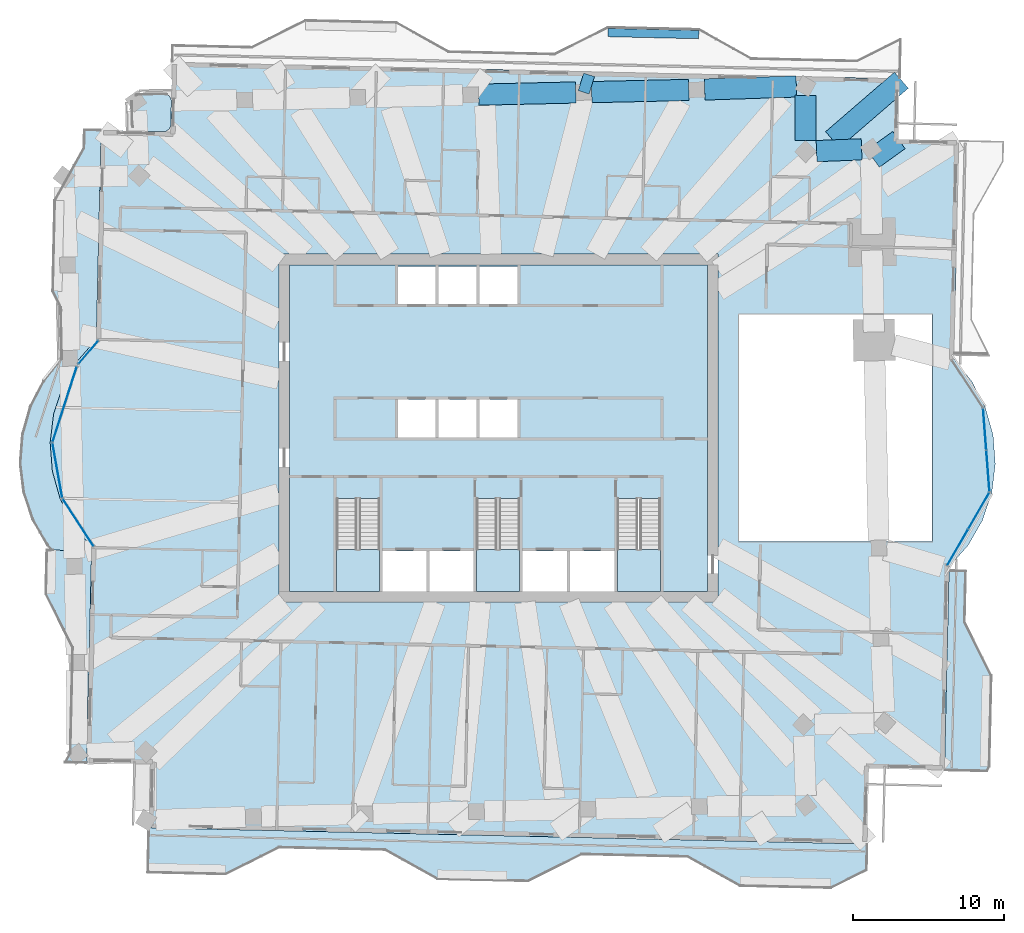
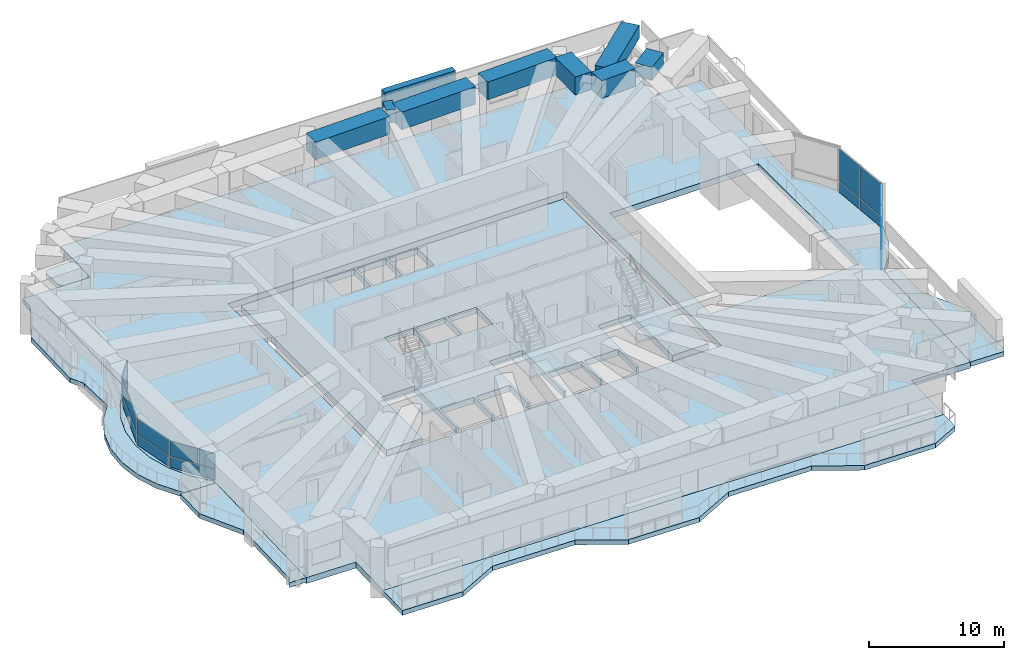
# One storey, part 8 of 20: 16 plates, 10 slabs, 8 beams, 1 member, 9 elements without a shape of their own.
"""IFC4 building model written with IfcOpenShell, lengths in metres."""

from ifc_helpers import new_model, si_unit, direction, frame, origin, origin_2d, place, context, subcontext, project, spatial, polyline, rectangle, outline, extrude, material, layer, layer_set, material_profile, profile_set, type_object, element, aggregate, save


model = new_model("IFC4")

# Units and contexts
model_context = context("Model", 3, precision=1e-05, world=origin(), true_north=direction((0.0, 1.0)))
body_context = subcontext(model_context, "Body", "Model", "MODEL_VIEW")
ifc_project = project(units=[si_unit("LENGTHUNIT", "METRE"), si_unit("AREAUNIT", "SQUARE_METRE"), si_unit("VOLUMEUNIT", "CUBIC_METRE"), si_unit("PLANEANGLEUNIT", "RADIAN"), si_unit("MASSUNIT", "GRAM", prefix="KILO")], contexts=[model_context])

# Site, building, storey
site_placement = place(None, origin())
site = spatial("IfcSite", under=ifc_project, at=site_placement, CompositionType="ELEMENT")
building_placement = place(site_placement, origin())
building = spatial("IfcBuilding", under=site, at=building_placement, Name="Mangrove Gate Tower", CompositionType="ELEMENT")
storey_placement = place(building_placement, frame((0.0, 0.0, 252.699951171875)))
storey = spatial("IfcBuildingStorey", under=building, at=storey_placement, Name="L64", CompositionType="ELEMENT", Elevation=252.699951171875)

# Member
ifc_material_1 = material(Name="Planting on aluminium trellis", Category="aluminium")
ifc_material_profile_1 = material_profile(ifc_material_1, rectangle(XDim=0.550048828125, YDim=2.0, at=origin_2d()))
ifc_profile_set_1 = profile_set([ifc_material_profile_1], Name="Planting on aluminium trellis")
member_type = type_object("IfcMemberType", Name="Balcony greenery screen 550x2000", PredefinedType="USERDEFINED", material=ifc_profile_set_1)
member_placement = place(storey_placement, frame((7.23193359375, 26.14404296875, 1.800048828125), z_axis=(0.999743178102, -0.022662255828, 0.0), x_axis=(0.022662255828, 0.999743178102, 0.0)))
element("IfcMember", 1, at=member_placement, inside=storey, type_object=member_type, Name="GREEN SCREEN L64 N0.1", ObjectType="PLANTING", PredefinedType="USERDEFINED", context=body_context, shape_type="SweptSolid", body=[
    extrude(rectangle(XDim=0.550048828125, YDim=2.0, at=origin_2d()), origin(), (0.0, 0.0, 1.0), 6.00048828125),
])

# Beams
ifc_material_2 = material(Name="Concrete C60/75", Category="concrete")
ifc_material_profile_2 = material_profile(ifc_material_2, rectangle(XDim=1.39990234375, YDim=1.199951171875, at=origin_2d()))
ifc_profile_set_2 = profile_set([ifc_material_profile_2], Name="Concrete C60/75")
beam_type_1 = type_object("IfcBeamType", Name="Transfer girder RC 1400x1200 C60/75", PredefinedType="BEAM", material=ifc_profile_set_2)
beam_1_placement = place(storey_placement, frame((24.75634765625, 17.814697265625, 3.449951171875), z_axis=(0.811713301366, 0.584056090103, 0.0), x_axis=(-0.584056090103, 0.811713301366, 0.0)))
element("IfcBeam", 2, at=beam_1_placement, inside=storey, type_object=beam_type_1, Name="Transfer cantilever girder L64 19", PredefinedType="BEAM", context=body_context, shape_type="SweptSolid", body=[
    extrude(rectangle(XDim=1.39990234375, YDim=1.199951171875, at=origin_2d()), origin(), (0.0, 0.0, 1.0), 2.095458984375),
])
beam_2_placement = place(storey_placement, frame((22.07177734375, 19.062744140625, 3.449951171875), z_axis=(0.756823007769, 0.653619870346, 0.0), x_axis=(-0.653619870346, 0.756823007769, 0.0)))
element("IfcBeam", 3, at=beam_2_placement, inside=storey, type_object=beam_type_1, Name="Transfer cantilever girder L64 20", PredefinedType="BEAM", context=body_context, shape_type="SweptSolid", body=[
    extrude(rectangle(XDim=1.39990234375, YDim=1.199951171875, at=origin_2d()), origin(), (0.0, 0.0, 1.0), 6.010986328125),
])
ifc_material_3 = material(Name="Concrete C60/75", Category="concrete")
ifc_material_profile_3 = material_profile(ifc_material_3, rectangle(XDim=1.39990234375, YDim=1.60009765625, at=origin_2d()))
ifc_profile_set_3 = profile_set([ifc_material_profile_3], Name="Concrete C60/75")
beam_type_2 = type_object("IfcBeamType", Name="Transfer girder RC 1400x1600 C60/75", PredefinedType="BEAM", material=ifc_profile_set_3)
beam_3_placement = place(storey_placement, frame((23.99365234375, 18.429443359375, 3.25), z_axis=(-0.999194139835, -0.040138147936, 0.0), x_axis=(0.040138147936, -0.999194139835, 0.0)))
element("IfcBeam", 4, at=beam_3_placement, inside=storey, type_object=beam_type_2, Name="Transfer ring girder L64 17", PredefinedType="BEAM", context=body_context, shape_type="SweptSolid", body=[
    extrude(rectangle(XDim=1.39990234375, YDim=1.60009765625, at=origin_2d()), origin(), (0.0, 0.0, 1.0), 2.98046875),
])
beam_4_placement = place(storey_placement, frame((20.287353515625, 19.005615234375, 3.25), z_axis=(0.001549247978, 0.999998799915, 0.0), x_axis=(-0.999998799915, 0.001549247978, 0.0)))
element("IfcBeam", 5, at=beam_4_placement, inside=storey, type_object=beam_type_2, Name="Transfer ring girder L64 18", PredefinedType="BEAM", context=body_context, shape_type="SweptSolid", body=[
    extrude(rectangle(XDim=1.39990234375, YDim=1.60009765625, at=origin_2d()), origin(), (0.0, 0.0, 1.0), 2.994140625),
])
beam_5_placement = place(storey_placement, frame((19.68017578125, 22.58056640625, 3.25), z_axis=(-0.999460172481, -0.032853669866, 0.0), x_axis=(0.032853669866, -0.999460172481, 0.0)))
element("IfcBeam", 6, at=beam_5_placement, inside=storey, type_object=beam_type_2, Name="Transfer ring girder L64 19", PredefinedType="BEAM", context=body_context, shape_type="SweptSolid", body=[
    extrude(rectangle(XDim=1.39990234375, YDim=1.60009765625, at=origin_2d()), origin(), (0.0, 0.0, 1.0), 6.063720703125),
])
for number, where, z_axis, x_axis, name in (
    (7, (12.570068359375, 22.352294921875, 3.25), (-0.999743815265, -0.022634129983, 0.0), (0.022634129983, -0.999743815265, 0.0), "Transfer ring girder L64 20"),
    (8, (5.10400390625, 22.183349609375, 3.25), (-0.999743815265, -0.022634129983, 0.0), (0.022634129983, -0.999743815265, 0.0), "Transfer ring girder L64 21"),
):
    element("IfcBeam", number, at=place(storey_placement, frame(where, z_axis=z_axis, x_axis=x_axis)), inside=storey, type_object=beam_type_2, Name=name, PredefinedType="BEAM", context=body_context, shape_type="SweptSolid", body=[
        extrude(rectangle(XDim=1.39990234375, YDim=1.60009765625, at=origin_2d()), origin(), (0.0, 0.0, 1.0), 6.41796875),
    ])
ifc_material_4 = material(Name="Concrete C60/75", Category="concrete")
ifc_material_profile_4 = material_profile(ifc_material_4, rectangle(XDim=0.75, YDim=1.199951171875, at=origin_2d()))
ifc_profile_set_4 = profile_set([ifc_material_profile_4], Name="Concrete C60/75")
beam_type_3 = type_object("IfcBeamType", Name="Transfer girder RC 750x1200 C60/75", PredefinedType="BEAM", material=ifc_profile_set_4)
beam_6_placement = place(storey_placement, frame((5.62890625, 22.195068359375, 3.449951171875), z_axis=(0.294983244117, 0.95550242579, 0.0), x_axis=(-0.95550242579, 0.294983244117, 0.0)))
element("IfcBeam", 9, at=beam_6_placement, inside=storey, type_object=beam_type_3, Name="Transfer edge girder L64 23", PredefinedType="BEAM", context=body_context, shape_type="SweptSolid", body=[
    extrude(rectangle(XDim=0.75, YDim=1.199951171875, at=origin_2d()), origin(), (0.0, 0.0, 1.0), 1.2041015625),
])

# Slabs
ifc_material_5 = material(Name="Porcelain tile")
ifc_layer_1 = layer(ifc_material_5, 0.02001953125, Name="Tile finish")
ifc_material_6 = material(Name="Cement sand screed")
ifc_layer_2 = layer(ifc_material_6, 0.0400390625, Name="Screed laid to falls")
ifc_material_7 = material(Name="Bituminous waterproofing membrane")
ifc_layer_3 = layer(ifc_material_7, 0.00390625, Name="Waterproofing")
ifc_material_8 = material(Name="Concrete C40/50", Category="concrete")
ifc_layer_4 = layer(ifc_material_8, 0.340087890625, Name="Balcony structural slab")
ifc_material_9 = material(Name="Limestone", Category="masonry")
ifc_layer_5 = layer(ifc_material_9, 0.01611328125, Name="Soffit lining")
ifc_layer_set_1 = layer_set([ifc_layer_1, ifc_layer_2, ifc_layer_3, ifc_layer_4, ifc_layer_5], Name="Balcony slab 420 C40/50")
slab_type_1 = type_object("IfcSlabType", Name="Balcony slab 420 C40/50", PredefinedType="FLOOR", material=ifc_layer_set_1)
slab_1_placement = place(storey_placement, frame((0.0, 0.0, -0.419921875)))
element("IfcSlab", 10, at=slab_1_placement, inside=storey, type_object=slab_type_1, Name="BALCONY L64 E0", PredefinedType="FLOOR", context=body_context, shape_type="SweptSolid", body=[
    extrude(outline(polyline([(32.299072265625, -22.652099609375), (32.464111328125, -22.35595703125), (32.60009765625, -16.35693359375), (30.830078125, -12.81591796875), (30.906982421875, -9.44189453125), (29.76708984375, -9.416015625), (29.68994140625, -12.7900390625), (29.611083984375, -16.2890625), (29.47509765625, -22.2880859375), (29.468017578125, -22.587890625), (32.299072265625, -22.652099609375)])), origin(), (0.0, 0.0, 1.0), 0.419921875),
])
slab_2_placement = place(storey_placement, frame((0.0, 0.0, -0.419921875)))
element("IfcSlab", 11, at=slab_2_placement, inside=storey, type_object=slab_type_1, Name="BALCONY L64 W0", PredefinedType="FLOOR", context=body_context, shape_type="SweptSolid", body=[
    extrude(outline(polyline([(-26.889892578125, -8.111083984375), (-26.888916015625, -8.06298828125), (-26.889892578125, -8.012939453125), (-26.89697265625, -7.962890625), (-26.907958984375, -7.9150390625), (-26.924072265625, -7.867919921875), (-26.944091796875, -7.822021484375), (-26.969970703125, -7.779052734375), (-26.9990234375, -7.739013671875), (-28.0810546875, -6.387939453125), (-28.9580078125, -4.68798828125), (-29.47998046875, -2.847900390625), (-29.626953125, -0.94091796875), (-29.39404296875, 0.95703125), (-28.7880859375, 2.77099609375), (-28.123046875, 3.929931640625), (-28.10107421875, 3.97412109375), (-28.0830078125, 4.02001953125), (-28.069091796875, 4.068115234375), (-28.05908203125, 4.1201171875), (-28.01806640625, 4.155029296875), (-27.985107421875, 4.18994140625), (-27.9541015625, 4.22802734375), (-27.927978515625, 4.27001953125), (-27.842041015625, 4.4189453125), (-27.826904296875, 4.43896484375), (-26.693115234375, 5.72998046875), (-26.662109375, 5.76806640625), (-26.635009765625, 5.81103515625), (-26.612060546875, 5.85498046875), (-26.593994140625, 5.902099609375), (-26.5810546875, 5.948974609375), (-26.572021484375, 5.998046875), (-26.569091796875, 6.048095703125), (-26.568115234375, 6.095947265625), (-26.572021484375, 6.10009765625), (-26.573974609375, 6.10595703125), (-26.572021484375, 6.112060546875), (-26.56689453125, 6.115966796875), (-26.259033203125, 19.68798828125), (-27.39892578125, 19.712890625), (-27.427001953125, 18.512939453125), (-29.35498046875, 15.056884765625), (-29.490966796875, 9.05810546875), (-28.910888671875, 7.89794921875), (-28.912109375, 7.89111328125), (-28.9150390625, 7.886962890625), (-28.9208984375, 7.885009765625), (-28.927001953125, 7.885986328125), (-28.85302734375, 4.62109375), (-28.85595703125, 4.5869140625), (-28.860107421875, 4.575927734375), (-28.876953125, 4.56298828125), (-28.9140625, 4.529052734375), (-28.947021484375, 4.491943359375), (-30.01806640625, 3.155029296875), (-30.047119140625, 3.114990234375), (-30.072998046875, 3.072021484375), (-30.903076171875, 1.4609375), (-30.924072265625, 1.4150390625), (-30.93994140625, 1.367919921875), (-31.43505859375, -0.375), (-31.446044921875, -0.424072265625), (-31.452880859375, -0.472900390625), (-31.592041015625, -2.281005859375), (-31.593994140625, -2.3310546875), (-31.590087890625, -2.381103515625), (-31.368896484375, -4.178955078125), (-31.360107421875, -4.22900390625), (-31.346923828125, -4.277099609375), (-30.77294921875, -5.99609375), (-30.7548828125, -6.04296875), (-30.73193359375, -6.0869140625), (-29.8291015625, -7.658935546875), (-29.802001953125, -7.700927734375), (-29.77099609375, -7.739990234375), (-29.4970703125, -8.052001953125), (-26.889892578125, -8.111083984375)])), origin(), (0.0, 0.0, 1.0), 0.419921875),
])
slab_3_placement = place(storey_placement, frame((0.0, 0.0, -0.419921875)))
element("IfcSlab", 12, at=slab_3_placement, inside=storey, type_object=slab_type_1, Name="BALCONY L64 W1", PredefinedType="FLOOR", context=body_context, shape_type="SweptSolid", body=[
    extrude(outline(polyline([(-29.8798828125, -8.06298828125), (-29.945068359375, -10.93701171875), (-28.175048828125, -14.47802734375), (-28.333984375, -21.47607421875), (-28.6640625, -22.069091796875), (-27.20703125, -22.10205078125), (-27.194091796875, -21.501953125), (-27.034912109375, -14.50390625), (-26.9560546875, -11.0048828125), (-26.889892578125, -8.131103515625), (-29.8798828125, -8.06298828125)])), origin(), (0.0, 0.0, 1.0), 0.419921875),
])
slab_4_placement = place(storey_placement, frame((0.0, 0.0, -0.419921875)))
element("IfcSlab", 13, at=slab_4_placement, inside=storey, type_object=slab_type_1, Name="BALCONY L64 S0", PredefinedType="FLOOR", context=body_context, shape_type="SweptSolid", body=[
    extrude(outline(polyline([(-23.172119140625, -29.385009765625), (-18.037109375, -29.501953125), (-14.49609375, -27.73193359375), (-7.498046875, -27.889892578125), (-4.041015625, -29.819091796875), (0.55810546875, -29.924072265625), (1.9580078125, -29.955078125), (5.4990234375, -28.18603515625), (12.4970703125, -28.343994140625), (15.9541015625, -30.27294921875), (21.952880859375, -30.408935546875), (24.31591796875, -29.22802734375), (24.35595703125, -27.472900390625), (-23.10400390625, -26.39599609375), (-23.172119140625, -29.385009765625)])), origin(), (0.0, 0.0, 1.0), 0.419921875),
])
ifc_material_10 = material(Name="Concrete C40/50", Category="concrete")
ifc_layer_6 = layer(ifc_material_10, 0.550048828125)
ifc_layer_set_2 = layer_set([ifc_layer_6], Name="Core floor slab 550 C40/50")
slab_type_2 = type_object("IfcSlabType", Name="Core floor slab 550 C40/50", PredefinedType="FLOOR", material=ifc_layer_set_2)
slab_5_placement = place(storey_placement, frame((0.0, 0.0, -0.550048828125)))
element("IfcSlab", 14, at=slab_5_placement, inside=storey, type_object=slab_type_2, Name="SLAB-L64-CORE-1", PredefinedType="FLOOR", context=body_context, shape_type="SweptSolid", body=[
    extrude(outline(polyline([(-13.800048828125, -10.800048828125), (-13.800048828125, 10.800048828125), (13.800048828125, 10.800048828125), (13.800048828125, -10.800048828125), (10.699951171875, -10.800048828125), (10.699951171875, -4.653076171875), (7.85009765625, -4.653076171875), (7.85009765625, -10.800048828125), (7.64990234375, -10.800048828125), (7.64990234375, -8.10009765625), (4.72509765625, -8.10009765625), (4.72509765625, -10.800048828125), (4.52490234375, -10.800048828125), (4.52490234375, -8.10009765625), (1.60009765625, -8.10009765625), (1.60009765625, -10.800048828125), (1.39990234375, -10.800048828125), (1.39990234375, -4.653076171875), (-1.449951171875, -4.653076171875), (-1.449951171875, -10.800048828125), (-1.64990234375, -10.800048828125), (-1.64990234375, -8.10009765625), (-4.550048828125, -8.10009765625), (-4.550048828125, -10.800048828125), (-4.75, -10.800048828125), (-4.75, -8.10009765625), (-7.64990234375, -8.10009765625), (-7.64990234375, -10.800048828125), (-7.85009765625, -10.800048828125), (-7.85009765625, -4.653076171875), (-10.699951171875, -4.653076171875), (-10.699951171875, -10.800048828125), (-13.800048828125, -10.800048828125)]), holes=[polyline([(-4.14990234375, 1.89990234375), (-6.64990234375, 1.89990234375), (-6.64990234375, -0.60009765625), (-4.14990234375, -0.60009765625), (-4.14990234375, 1.89990234375)]), polyline([(-1.449951171875, -0.60009765625), (-1.449951171875, 1.89990234375), (-3.949951171875, 1.89990234375), (-3.949951171875, -0.60009765625), (-1.449951171875, -0.60009765625)]), polyline([(-4.14990234375, 8.199951171875), (-4.14990234375, 10.699951171875), (-6.64990234375, 10.699951171875), (-6.64990234375, 8.199951171875), (-4.14990234375, 8.199951171875)]), polyline([(-1.449951171875, 10.699951171875), (-3.949951171875, 10.699951171875), (-3.949951171875, 8.199951171875), (-1.449951171875, 8.199951171875), (-1.449951171875, 10.699951171875)]), polyline([(1.25, -0.60009765625), (1.25, 1.89990234375), (-1.25, 1.89990234375), (-1.25, -0.60009765625), (1.25, -0.60009765625)]), polyline([(1.25, 8.199951171875), (1.25, 10.699951171875), (-1.25, 10.699951171875), (-1.25, 8.199951171875), (1.25, 8.199951171875)])]), origin(), (0.0, 0.0, 1.0), 0.550048828125),
])

# Stair, slab
ifc_material_11 = material(Name="Concrete C40/50", Category="concrete")
stair_type = type_object("IfcStairType", Name="Core stair 1350", PredefinedType="HALF_TURN_STAIR", material=ifc_material_11)
stair_1_placement = place(storey_placement, origin())
stair_1 = element("IfcStair", 15, at=stair_1_placement, inside=storey, type_object=stair_type, Name="L64 Stair 1", PredefinedType="HALF_TURN_STAIR")
ifc_material_12 = material(Name="Concrete C40/50", Category="concrete")
ifc_layer_7 = layer(ifc_material_12, 0.199951171875)
ifc_layer_set_3 = layer_set([ifc_layer_7], Name="Core stair landing 200")
slab_type_3 = type_object("IfcSlabType", Name="Core stair landing 200", PredefinedType="LANDING", material=ifc_layer_set_3)
slab_6_placement = place(storey_placement, frame((0.0, 0.0, 2.10009765625)))
slab_6 = element("IfcSlab", 16, at=slab_6_placement, type_object=slab_type_3, Name="ST1 landing 1", PredefinedType="LANDING", context=body_context, shape_type="SweptSolid", body=[
    extrude(outline(polyline([(-10.699951171875, -8.010009765625), (-10.699951171875, -10.800048828125), (-7.85009765625, -10.800048828125), (-7.85009765625, -8.010009765625), (-10.699951171875, -8.010009765625)])), origin(), (0.0, 0.0, 1.0), 0.199951171875),
])
aggregate(stair_1, [slab_6])

stair_2_placement = place(storey_placement, origin())
stair_2 = element("IfcStair", 17, at=stair_2_placement, inside=storey, type_object=stair_type, Name="L64 Stair 2", PredefinedType="HALF_TURN_STAIR")
slab_7_placement = place(storey_placement, frame((0.0, 0.0, 2.10009765625)))
slab_7 = element("IfcSlab", 18, at=slab_7_placement, type_object=slab_type_3, Name="ST2 landing 1", PredefinedType="LANDING", context=body_context, shape_type="SweptSolid", body=[
    extrude(outline(polyline([(-1.449951171875, -8.010009765625), (-1.449951171875, -10.800048828125), (1.39990234375, -10.800048828125), (1.39990234375, -8.010009765625), (-1.449951171875, -8.010009765625)])), origin(), (0.0, 0.0, 1.0), 0.199951171875),
])
aggregate(stair_2, [slab_7])

stair_3_placement = place(storey_placement, origin())
stair_3 = element("IfcStair", 19, at=stair_3_placement, inside=storey, type_object=stair_type, Name="L64 Stair 3", PredefinedType="HALF_TURN_STAIR")
slab_8_placement = place(storey_placement, frame((0.0, 0.0, 2.10009765625)))
slab_8 = element("IfcSlab", 20, at=slab_8_placement, type_object=slab_type_3, Name="ST3 landing 1", PredefinedType="LANDING", context=body_context, shape_type="SweptSolid", body=[
    extrude(outline(polyline([(7.85009765625, -8.010009765625), (7.85009765625, -10.800048828125), (10.699951171875, -10.800048828125), (10.699951171875, -8.010009765625), (7.85009765625, -8.010009765625)])), origin(), (0.0, 0.0, 1.0), 0.199951171875),
])
aggregate(stair_3, [slab_8])

# Slab
ifc_material_13 = material(Name="Concrete C40/50", Category="concrete")
ifc_layer_8 = layer(ifc_material_13, 0.550048828125)
ifc_layer_set_4 = layer_set([ifc_layer_8], Name="Floor slab 550 C40/50")
slab_type_4 = type_object("IfcSlabType", Name="Floor slab 550 C40/50", PredefinedType="FLOOR", material=ifc_layer_set_4)
slab_9_placement = place(storey_placement, frame((0.0, 0.0, -0.550048828125)))
element("IfcSlab", 21, at=slab_9_placement, inside=storey, type_object=slab_type_4, Name="Floor slab L64", PredefinedType="FLOOR", context=body_context, shape_type="SweptSolid", body=[
    extrude(outline(polyline([(-23.103759765625, -26.39599609375), (24.35595703125, -27.472900390625), (24.469482421875, -22.47412109375), (29.46826171875, -22.587646484375), (29.772705078125, -9.16650390625), (31.03564453125, -7.72998046875), (31.98876953125, -6.071533203125), (32.59423828125, -4.257080078125), (32.827880859375, -2.358642578125), (32.6806640625, -0.45166015625), (32.158203125, 1.388427734375), (31.28125, 3.08837890625), (30.084716796875, 4.58056640625), (30.411865234375, 19.001708984375), (26.4130859375, 19.09228515625), (26.503662109375, 23.09130859375), (-21.555908203125, 24.181884765625), (-21.66015625, 19.583251953125), (-26.259033203125, 19.6875), (-26.57275390625, 5.866455078125), (-27.835693359375, 4.429931640625), (-28.788818359375, 2.771484375), (-29.394287109375, 0.95703125), (-29.6279296875, -0.94140625), (-29.480712890625, -2.848388671875), (-28.958251953125, -4.6884765625), (-28.081298828125, -6.388427734375), (-26.884765625, -7.880615234375), (-27.20751953125, -22.101806640625), (-23.008544921875, -22.197021484375), (-23.103759765625, -26.39599609375)]), holes=[polyline([(15.89990234375, 7.5), (28.658935546875, 7.5), (28.658935546875, -7.5), (15.89990234375, -7.5), (15.89990234375, 7.5)]), polyline([(-14.5, -11.5), (-14.5, 11.5), (14.5, 11.5), (14.5, -11.5), (-14.5, -11.5)])]), origin(), (0.0, 0.0, 1.0), 0.550048828125),
])

# Curtain wall, plates
ifc_material_14 = material(Name="Aluminium and glass curtain wall", Category="aluminium")
curtain_wall_type = type_object("IfcCurtainWallType", Name="Sky-lounge glazing wall", PredefinedType="NOTDEFINED", material=ifc_material_14)
curtain_wall_1_placement = place(storey_placement, origin())
curtain_wall_1 = element("IfcCurtainWall", 22, at=curtain_wall_1_placement, inside=storey, type_object=curtain_wall_type, Name="Sky-lounge glazing E1f1", PredefinedType="NOTDEFINED")
ifc_material_15 = material(Name="Laminated low-e glass", Category="glass")
ifc_layer_9 = layer(ifc_material_15, 0.030029296875)
ifc_layer_set_5 = layer_set([ifc_layer_9], Name="Sky-lounge glazing panel 30")
plate_type = type_object("IfcPlateType", Name="Sky-lounge glazing panel 30", PredefinedType="CURTAIN_PANEL", material=ifc_layer_set_5)
plate_1_placement = place(storey_placement, frame((30.33740234375, -7.874267578125, 0.0), z_axis=(0.0, 0.0, 1.0), x_axis=(0.500418160359, 0.865783844145, 0.0)))
plate_1 = element("IfcPlate", 23, at=plate_1_placement, type_object=plate_type, Name="CWK panel 1.1", PredefinedType="CURTAIN_PANEL", context=body_context, shape_type="SweptSolid", body=[
    extrude(rectangle(XDim=2.73095703125, YDim=0.030029296875, at=origin_2d()), origin(), (0.0, 0.0, 1.0), 0.969970703125),
])
plate_2_placement = place(storey_placement, frame((30.33740234375, -7.874267578125, 1.030029296875), z_axis=(0.0, 0.0, 1.0), x_axis=(0.500418160359, 0.865783844145, 0.0)))
plate_2 = element("IfcPlate", 24, at=plate_2_placement, type_object=plate_type, Name="CWK panel 1.2", PredefinedType="CURTAIN_PANEL", context=body_context, shape_type="SweptSolid", body=[
    extrude(rectangle(XDim=2.73095703125, YDim=0.030029296875, at=origin_2d()), origin(), (0.0, 0.0, 1.0), 2.9599609375),
])
plate_3_placement = place(storey_placement, frame((31.73388671875, -5.4580078125, 0.0), z_axis=(0.0, 0.0, 1.0), x_axis=(0.500418160359, 0.865783844145, 0.0)))
plate_3 = element("IfcPlate", 25, at=plate_3_placement, type_object=plate_type, Name="CWK panel 2.1", PredefinedType="CURTAIN_PANEL", context=body_context, shape_type="SweptSolid", body=[
    extrude(rectangle(XDim=2.73095703125, YDim=0.030029296875, at=origin_2d()), origin(), (0.0, 0.0, 1.0), 0.969970703125),
])
plate_4_placement = place(storey_placement, frame((31.73388671875, -5.4580078125, 1.030029296875), z_axis=(0.0, 0.0, 1.0), x_axis=(0.500418160359, 0.865783844145, 0.0)))
plate_4 = element("IfcPlate", 26, at=plate_4_placement, type_object=plate_type, Name="CWK panel 2.2", PredefinedType="CURTAIN_PANEL", context=body_context, shape_type="SweptSolid", body=[
    extrude(rectangle(XDim=2.73095703125, YDim=0.030029296875, at=origin_2d()), origin(), (0.0, 0.0, 1.0), 2.9599609375),
])
aggregate(curtain_wall_1, [plate_1, plate_2, plate_3, plate_4])

curtain_wall_2_placement = place(storey_placement, origin())
curtain_wall_2 = element("IfcCurtainWall", 27, at=curtain_wall_2_placement, inside=storey, type_object=curtain_wall_type, Name="Sky-lounge glazing E1f2", PredefinedType="NOTDEFINED")
plate_5_placement = place(storey_placement, frame((32.3388671875, -2.819580078125, 0.0), z_axis=(0.0, 0.0, 1.0), x_axis=(-0.077023348403, 0.997029289339, 0.0)))
plate_5 = element("IfcPlate", 28, at=plate_5_placement, type_object=plate_type, Name="CWK panel 1.1", PredefinedType="CURTAIN_PANEL", context=body_context, shape_type="SweptSolid", body=[
    extrude(rectangle(XDim=2.69677734375, YDim=0.030029296875, at=origin_2d()), origin(), (0.0, 0.0, 1.0), 0.969970703125),
])
plate_6_placement = place(storey_placement, frame((32.3388671875, -2.819580078125, 1.030029296875), z_axis=(0.0, 0.0, 1.0), x_axis=(-0.077023348403, 0.997029289339, 0.0)))
plate_6 = element("IfcPlate", 29, at=plate_6_placement, type_object=plate_type, Name="CWK panel 1.2", PredefinedType="CURTAIN_PANEL", context=body_context, shape_type="SweptSolid", body=[
    extrude(rectangle(XDim=2.69677734375, YDim=0.030029296875, at=origin_2d()), origin(), (0.0, 0.0, 1.0), 2.9599609375),
])
plate_7_placement = place(storey_placement, frame((32.12646484375, -0.071044921875, 0.0), z_axis=(0.0, 0.0, 1.0), x_axis=(-0.077023348403, 0.997029289339, 0.0)))
plate_7 = element("IfcPlate", 30, at=plate_7_placement, type_object=plate_type, Name="CWK panel 2.1", PredefinedType="CURTAIN_PANEL", context=body_context, shape_type="SweptSolid", body=[
    extrude(rectangle(XDim=2.69677734375, YDim=0.030029296875, at=origin_2d()), origin(), (0.0, 0.0, 1.0), 0.969970703125),
])
plate_8_placement = place(storey_placement, frame((32.12646484375, -0.071044921875, 1.030029296875), z_axis=(0.0, 0.0, 1.0), x_axis=(-0.077023348403, 0.997029289339, 0.0)))
plate_8 = element("IfcPlate", 31, at=plate_8_placement, type_object=plate_type, Name="CWK panel 2.2", PredefinedType="CURTAIN_PANEL", context=body_context, shape_type="SweptSolid", body=[
    extrude(rectangle(XDim=2.69677734375, YDim=0.030029296875, at=origin_2d()), origin(), (0.0, 0.0, 1.0), 2.9599609375),
])
aggregate(curtain_wall_2, [plate_5, plate_6, plate_7, plate_8])

curtain_wall_3_placement = place(storey_placement, origin())
curtain_wall_3 = element("IfcCurtainWall", 32, at=curtain_wall_3_placement, inside=storey, type_object=curtain_wall_type, Name="Sky-lounge glazing W9p1f1", PredefinedType="NOTDEFINED")
plate_9_placement = place(storey_placement, frame((-27.10400390625, 5.013671875, 0.0), z_axis=(0.0, 0.0, 1.0), x_axis=(-0.650132853001, -0.759820553452, 0.0)))
plate_9 = element("IfcPlate", 33, at=plate_9_placement, type_object=plate_type, Name="CWK panel 1.1", PredefinedType="CURTAIN_PANEL", context=body_context, shape_type="SweptSolid", body=[
    extrude(rectangle(XDim=1.9716796875, YDim=0.030029296875, at=origin_2d()), origin(), (0.0, 0.0, 1.0), 0.969970703125),
])
plate_10_placement = place(storey_placement, frame((-27.10400390625, 5.013671875, 1.030029296875), z_axis=(0.0, 0.0, 1.0), x_axis=(-0.650132853001, -0.759820553452, 0.0)))
plate_10 = element("IfcPlate", 34, at=plate_10_placement, type_object=plate_type, Name="CWK panel 1.2", PredefinedType="CURTAIN_PANEL", context=body_context, shape_type="SweptSolid", body=[
    extrude(rectangle(XDim=1.9716796875, YDim=0.030029296875, at=origin_2d()), origin(), (0.0, 0.0, 1.0), 1.56005859375),
])
aggregate(curtain_wall_3, [plate_9, plate_10])

curtain_wall_4_placement = place(storey_placement, origin())
curtain_wall_4 = element("IfcCurtainWall", 35, at=curtain_wall_4_placement, inside=storey, type_object=curtain_wall_type, Name="Sky-lounge glazing W9p2f1", PredefinedType="NOTDEFINED")
plate_11_placement = place(storey_placement, frame((-28.665771484375, 1.575927734375, 0.0), z_axis=(0.0, 0.0, 1.0), x_axis=(-0.306440523358, -0.951889807511, 0.0)))
plate_11 = element("IfcPlate", 36, at=plate_11_placement, type_object=plate_type, Name="CWK panel 1.1", PredefinedType="CURTAIN_PANEL", context=body_context, shape_type="SweptSolid", body=[
    extrude(rectangle(XDim=5.176025390625, YDim=0.030029296875, at=origin_2d()), origin(), (0.0, 0.0, 1.0), 0.969970703125),
])
plate_12_placement = place(storey_placement, frame((-28.665771484375, 1.575927734375, 1.02978515625), z_axis=(0.0, 0.0, 1.0), x_axis=(-0.306440523358, -0.951889807511, 0.0)))
plate_12 = element("IfcPlate", 37, at=plate_12_placement, type_object=plate_type, Name="CWK panel 1.2", PredefinedType="CURTAIN_PANEL", context=body_context, shape_type="SweptSolid", body=[
    extrude(rectangle(XDim=5.176025390625, YDim=0.030029296875, at=origin_2d()), origin(), (0.0, 0.0, 1.0), 1.360107421875),
])
aggregate(curtain_wall_4, [plate_11, plate_12])

curtain_wall_5_placement = place(storey_placement, origin())
curtain_wall_5 = element("IfcCurtainWall", 38, at=curtain_wall_5_placement, inside=storey, type_object=curtain_wall_type, Name="Sky-lounge glazing W9p2f2", PredefinedType="NOTDEFINED")
plate_13_placement = place(storey_placement, frame((-29.147705078125, -2.788818359375, 0.0), z_axis=(0.0, 0.0, 1.0), x_axis=(0.175967680157, -0.984395944496, 0.0)))
plate_13 = element("IfcPlate", 39, at=plate_13_placement, type_object=plate_type, Name="CWK panel 1.1", PredefinedType="CURTAIN_PANEL", context=body_context, shape_type="SweptSolid", body=[
    extrude(rectangle(XDim=3.626708984375, YDim=0.030029296875, at=origin_2d()), origin(), (0.0, 0.0, 1.0), 0.969970703125),
])
plate_14_placement = place(storey_placement, frame((-29.147705078125, -2.788818359375, 1.02978515625), z_axis=(0.0, 0.0, 1.0), x_axis=(0.175967680157, -0.984395944496, 0.0)))
plate_14 = element("IfcPlate", 40, at=plate_14_placement, type_object=plate_type, Name="CWK panel 1.2", PredefinedType="CURTAIN_PANEL", context=body_context, shape_type="SweptSolid", body=[
    extrude(rectangle(XDim=3.626708984375, YDim=0.030029296875, at=origin_2d()), origin(), (0.0, 0.0, 1.0), 1.360107421875),
])
aggregate(curtain_wall_5, [plate_13, plate_14])

curtain_wall_6_placement = place(storey_placement, origin())
curtain_wall_6 = element("IfcCurtainWall", 41, at=curtain_wall_6_placement, inside=storey, type_object=curtain_wall_type, Name="Sky-lounge glazing W9p2f3", PredefinedType="NOTDEFINED")
plate_15_placement = place(storey_placement, frame((-27.775634765625, -6.231201171875, 0.0), z_axis=(0.0, 0.0, 1.0), x_axis=(0.546235085045, -0.837631919083, 0.0)))
plate_15 = element("IfcPlate", 42, at=plate_15_placement, type_object=plate_type, Name="CWK panel 1.1", PredefinedType="CURTAIN_PANEL", context=body_context, shape_type="SweptSolid", body=[
    extrude(rectangle(XDim=3.696044921875, YDim=0.030029296875, at=origin_2d()), origin(), (0.0, 0.0, 1.0), 0.969970703125),
])
plate_16_placement = place(storey_placement, frame((-27.775634765625, -6.231201171875, 1.02978515625), z_axis=(0.0, 0.0, 1.0), x_axis=(0.546235085045, -0.837631919083, 0.0)))
plate_16 = element("IfcPlate", 43, at=plate_16_placement, type_object=plate_type, Name="CWK panel 1.2", PredefinedType="CURTAIN_PANEL", context=body_context, shape_type="SweptSolid", body=[
    extrude(rectangle(XDim=3.696044921875, YDim=0.030029296875, at=origin_2d()), origin(), (0.0, 0.0, 1.0), 1.360107421875),
])
aggregate(curtain_wall_6, [plate_15, plate_16])

# Slab
ifc_material_16 = material(Name="Granite", Category="masonry")
ifc_layer_10 = layer(ifc_material_16, 0.030029296875, Name="Granite paving")
ifc_layer_11 = layer(ifc_material_6, 0.0400390625, Name="Bedding screed")
ifc_layer_12 = layer(ifc_material_7, 0.0048828125, Name="Waterproofing")
ifc_material_17 = material(Name="Extruded polystyrene insulation")
ifc_layer_13 = layer(ifc_material_17, 0.0400390625, Name="Insulation")
ifc_layer_14 = layer(ifc_material_8, 0.304931640625, Name="Terrace structural slab")
ifc_layer_set_6 = layer_set([ifc_layer_10, ifc_layer_11, ifc_layer_12, ifc_layer_13, ifc_layer_14], Name="Terrace slab C40/50")
slab_type_5 = type_object("IfcSlabType", Name="Terrace slab C40/50", PredefinedType="FLOOR", material=ifc_layer_set_6)
slab_10_placement = place(storey_placement, frame((0.0, 0.0, -0.419921875)))
element("IfcSlab", 44, at=slab_10_placement, inside=storey, type_object=slab_type_5, Name="TERRACE L64 1", PredefinedType="FLOOR", context=body_context, shape_type="SweptSolid", body=[
    extrude(outline(polyline([(-24.236083984375, 21.5419921875), (-24.2041015625, 20.117919921875), (-24.199951171875, 20.071044921875), (-24.19189453125, 20.02392578125), (-24.179931640625, 19.97802734375), (-24.1640625, 19.93310546875), (-24.14306640625, 19.889892578125), (-24.117919921875, 19.85009765625), (-24.089111328125, 19.81103515625), (-24.056884765625, 19.77587890625), (-24.02197265625, 19.743896484375), (-23.98388671875, 19.716064453125), (-23.943115234375, 19.69091796875), (-23.89990234375, 19.669921875), (-23.85595703125, 19.653076171875), (-23.81005859375, 19.64111328125), (-23.762939453125, 19.633056640625), (-23.715087890625, 19.6298828125), (-22.159912109375, 19.594970703125), (-22.111083984375, 19.595947265625), (-22.06201171875, 19.60205078125), (-22.014892578125, 19.613037109375), (-21.968017578125, 19.6279296875), (-21.923095703125, 19.64794921875), (-21.881103515625, 19.672119140625), (-21.840087890625, 19.700927734375), (-21.802978515625, 19.73291015625), (-21.77001953125, 19.76904296875), (-21.739013671875, 19.806884765625), (-21.712890625, 19.84912109375), (-21.69091796875, 19.89306640625), (-21.674072265625, 19.93798828125), (-21.660888671875, 19.986083984375), (-21.652099609375, 20.033935546875), (-21.64892578125, 20.0830078125), (-21.614990234375, 21.5791015625), (-21.615966796875, 21.6298828125), (-21.623046875, 21.679931640625), (-21.634033203125, 21.72900390625), (-21.65087890625, 21.777099609375), (-21.672119140625, 21.822021484375), (-21.697998046875, 21.865966796875), (-21.72705078125, 21.906982421875), (-21.760986328125, 21.944091796875), (-21.799072265625, 21.97802734375), (-21.839111328125, 22.008056640625), (-21.883056640625, 22.033935546875), (-21.928955078125, 22.054931640625), (-21.97607421875, 22.071044921875), (-22.02587890625, 22.0830078125), (-22.075927734375, 22.089111328125), (-22.1259765625, 22.090087890625), (-23.7470703125, 22.053955078125), (-23.7958984375, 22.050048828125), (-23.844970703125, 22.0419921875), (-23.89208984375, 22.029052734375), (-23.93798828125, 22.010986328125), (-23.98193359375, 21.989013671875), (-24.02294921875, 21.962890625), (-24.06201171875, 21.93310546875), (-24.097900390625, 21.89892578125), (-24.1298828125, 21.862060546875), (-24.157958984375, 21.822021484375), (-24.181884765625, 21.779052734375), (-24.201904296875, 21.735107421875), (-24.218017578125, 21.68798828125), (-24.22900390625, 21.639892578125), (-24.235107421875, 21.591064453125), (-24.236083984375, 21.5419921875)])), origin(), (0.0, 0.0, 1.0), 0.419921875),
])

save(model, "model.ifc")
